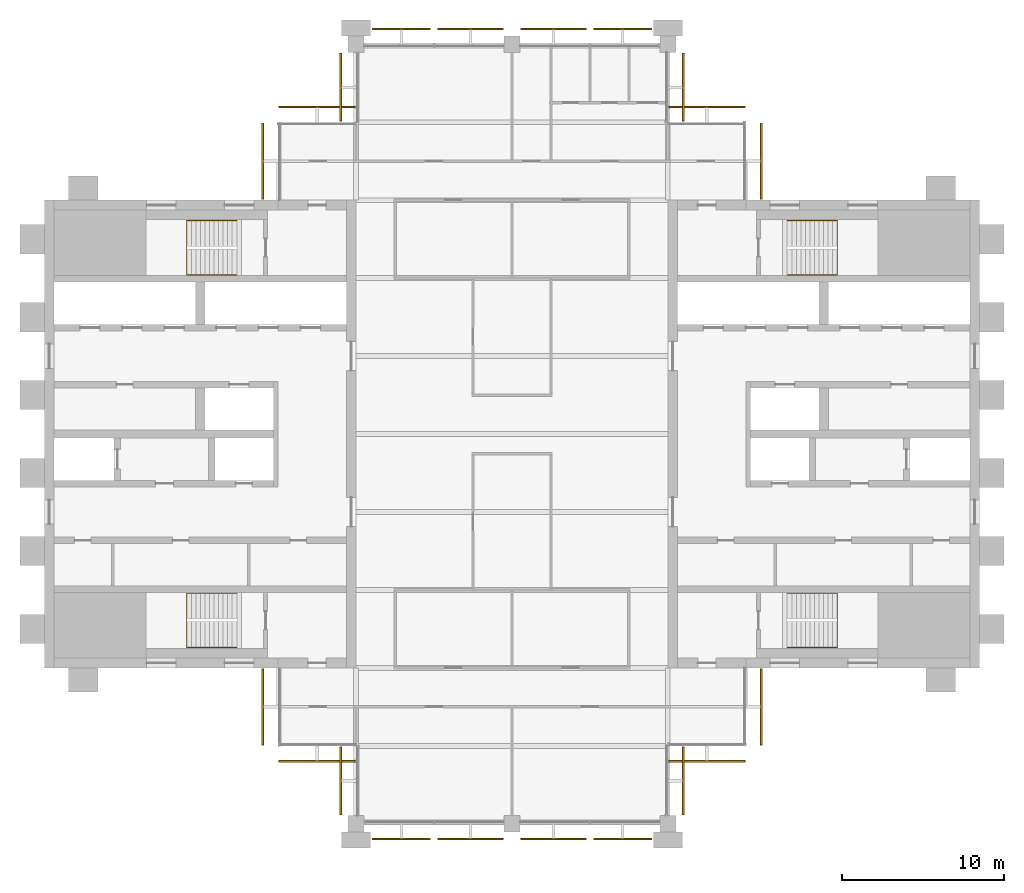
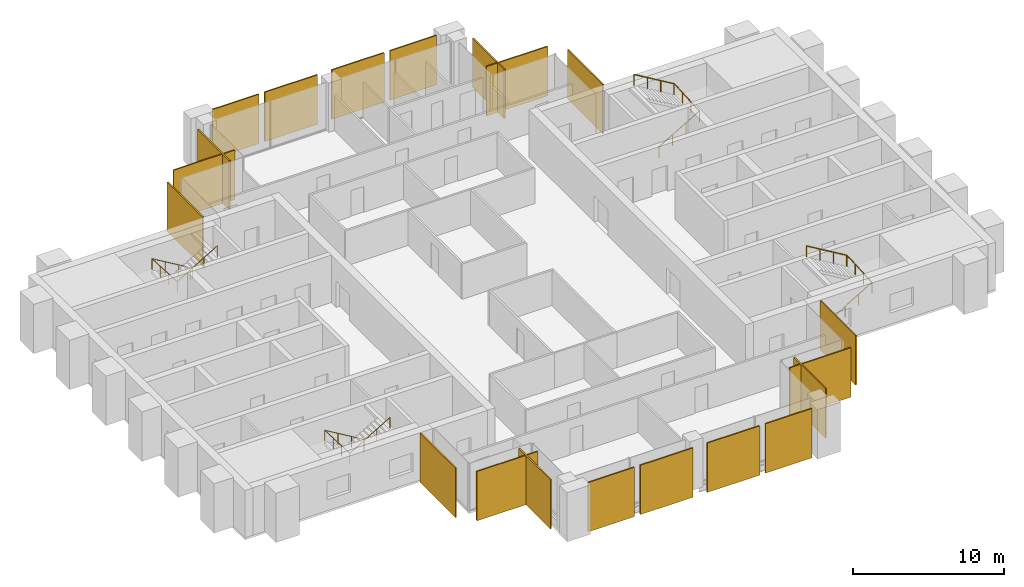
# One storey, part 12 of 12: 20 coverings, 4 railings.
"""IFC4 building model written with IfcOpenShell, lengths in metres."""

import ifcopenshell
import ifcopenshell.guid

model = None  # the IFC model being written
_history = None  # IfcOwnerHistory: only IFC2X3 demands one
_inside = {}  # id of a spatial element -> (the spatial element, [elements in it])
_under = {}  # id of a project, library or spatial element -> (it, [spatial elements below it])
_declared = {}  # id of a project -> (the project, [libraries it declares])
_typed = {}  # id of a type object -> (the type object, [elements of that type])
_made_of = {}  # id of a material, layer set ... -> (it, [elements and type objects made of it])


def new_model(schema):
    """Start an empty IFC model of exactly this schema.

    Asked for "IFC4X3", IfcOpenShell would pick the latest addendum, in which some entities
    have other attributes; the version numbers below select the first issue.
    IFC2X3 requires an IfcOwnerHistory on every rooted entity: one is made here for all.
    """
    global model, _history
    if schema == "IFC4X3":
        model = ifcopenshell.file(schema_version=(4, 3, 0, 0))
    else:
        model = ifcopenshell.file(schema=schema)
    _inside.clear()
    _under.clear()
    _declared.clear()
    _typed.clear()
    _made_of.clear()
    _history = None
    if model.schema == "IFC2X3":
        org = make("IfcOrganization", Name="unknown")
        user = make(
            "IfcPersonAndOrganization",
            ThePerson=make("IfcPerson", FamilyName="unknown"),
            TheOrganization=org,
        )
        app = make(
            "IfcApplication",
            ApplicationDeveloper=org,
            Version="unknown",
            ApplicationFullName="unknown",
            ApplicationIdentifier="unknown",
        )
        _history = make(
            "IfcOwnerHistory",
            OwningUser=user,
            OwningApplication=app,
            ChangeAction="ADDED",
            CreationDate=0,
        )
    return model


def make(cls, **values):
    """One entity of the class cls with the attributes given. An attribute that is None is left unset."""
    return model.create_entity(
        cls, **{name: value for name, value in values.items() if value is not None}
    )


def rooted(cls, **values):
    """An entity with a GlobalId (a new one), such as an element, a storey or a relation."""
    return make(cls, GlobalId=ifcopenshell.guid.new(), OwnerHistory=_history, **values)


def si_unit(unit_type, name, prefix=None):
    """IfcSIUnit, for example si_unit("LENGTHUNIT", "METRE", prefix="MILLI")."""
    return make("IfcSIUnit", UnitType=unit_type, Prefix=prefix, Name=name)


def assignment(units):
    """IfcUnitAssignment: the units of a project."""
    return None if units is None else make("IfcUnitAssignment", Units=units)


def point(xyz):
    """IfcCartesianPoint."""
    return None if xyz is None else make("IfcCartesianPoint", Coordinates=xyz)


def direction(xyz):
    """IfcDirection."""
    return None if xyz is None else make("IfcDirection", DirectionRatios=xyz)


def frame(location, z_axis=None, x_axis=None):
    """IfcAxis2Placement3D, a coordinate frame: its origin and axes. An axis left out is left unset."""
    return make(
        "IfcAxis2Placement3D",
        Location=point(location),
        Axis=direction(z_axis),
        RefDirection=direction(x_axis),
    )


def frame_2d(location, x_axis=None):
    """IfcAxis2Placement2D, a coordinate frame in the plane: its origin and x axis."""
    return make(
        "IfcAxis2Placement2D", Location=point(location), RefDirection=direction(x_axis)
    )


def origin():
    """The frame at (0, 0, 0) with its axes left unset."""
    return frame((0.0, 0.0, 0.0))


def origin_2d():
    """The frame at (0, 0) in the plane with its x axis left unset."""
    return frame_2d((0.0, 0.0))


def place(relative_to, where):
    """IfcLocalPlacement: puts the frame where relative to a parent placement (None: the world)."""
    return make(
        "IfcLocalPlacement", PlacementRelTo=relative_to, RelativePlacement=where
    )


def context(
    kind, dimensions, precision=None, world=None, true_north=None, identifier=None
):
    """IfcGeometricRepresentationContext, for example the 3D "Model" context."""
    return make(
        "IfcGeometricRepresentationContext",
        ContextIdentifier=identifier,
        ContextType=kind,
        CoordinateSpaceDimension=dimensions,
        Precision=precision,
        WorldCoordinateSystem=world,
        TrueNorth=true_north,
    )


def subcontext(parent, identifier, kind, view, scale=None):
    """IfcGeometricRepresentationSubContext, for example "Body" below "Model"."""
    return make(
        "IfcGeometricRepresentationSubContext",
        ContextIdentifier=identifier,
        ContextType=kind,
        ParentContext=parent,
        TargetScale=scale,
        TargetView=view,
    )


def project(units=None, contexts=None):
    """IfcProject with its units and contexts."""
    return rooted(
        "IfcProject",
        Name="project",
        RepresentationContexts=contexts,
        UnitsInContext=assignment(units),
    )


def spatial(cls, under=None, at=None, **own):
    """A site, building, storey or space (cls), placed at a placement, below another one or the project."""
    s = rooted(cls, ObjectPlacement=at, **own)
    if under is not None:
        _under.setdefault(under.id(), (under, []))[1].append(s)
    return s


def polyline(points):
    """IfcPolyline through the points."""
    return make("IfcPolyline", Points=[point(p) for p in points])


def profile(cls, at=None, kind="AREA", **sizes):
    """A parametric profile (cls). Its sizes go by their IFC names, for example OverallWidth=200.0."""
    return make(cls, ProfileType=kind, Position=at, **sizes)


def circle(**sizes):
    """IfcCircleProfileDef."""
    return profile("IfcCircleProfileDef", **sizes)


def outline(outer, holes=None, kind="AREA"):
    """IfcArbitraryClosedProfileDef: a profile drawn as a closed curve; with holes, ...WithVoids."""
    if holes is None:
        return make("IfcArbitraryClosedProfileDef", ProfileType=kind, OuterCurve=outer)
    return make(
        "IfcArbitraryProfileDefWithVoids",
        ProfileType=kind,
        OuterCurve=outer,
        InnerCurves=holes,
    )


def extrude(swept, where, along, depth):
    """IfcExtrudedAreaSolid: the profile swept, set in the frame where, extruded along a direction by depth."""
    return make(
        "IfcExtrudedAreaSolid",
        SweptArea=swept,
        Position=where,
        ExtrudedDirection=direction(along),
        Depth=depth,
    )


def shape(context_of_items, identifier, shape_type, items):
    """IfcShapeRepresentation: the items that make up one representation, for example the "Body"."""
    return make(
        "IfcShapeRepresentation",
        ContextOfItems=context_of_items,
        RepresentationIdentifier=identifier,
        RepresentationType=shape_type,
        Items=items,
    )


def material(Name=None, Category=None):
    """IfcMaterial."""
    return make("IfcMaterial", Name=Name, Category=Category)


def layer(
    of_material, thickness, ventilated=None, Name=None, Category=None, Priority=None
):
    """IfcMaterialLayer: one layer of a wall or slab, of a material (None: an air gap)."""
    return make(
        "IfcMaterialLayer",
        Material=of_material,
        LayerThickness=thickness,
        IsVentilated=ventilated,
        Name=Name,
        Category=Category,
        Priority=Priority,
    )


def layer_set(layers, Name=None):
    """IfcMaterialLayerSet."""
    return make("IfcMaterialLayerSet", MaterialLayers=layers, LayerSetName=Name)


def made_of(thing, what):
    """Note that an element or type object is made of a material, layer set ...; save() writes the relation."""
    if what is not None:
        _made_of.setdefault(what.id(), (what, []))[1].append(thing)
    return thing


def type_object(cls, material=None, **own):
    """A type object (cls), such as IfcWallType, which elements share."""
    return made_of(rooted(cls, **own), material)


def element(
    cls,
    number,
    at=None,
    inside=None,
    cuts=None,
    type_object=None,
    material=None,
    context=None,
    identifier="Body",
    shape_type=None,
    held_by="IfcProductDefinitionShape",
    body=None,
    shapes=None,
    **own,
):
    """One element of the class cls, such as IfcWall. Its Tag is "e" and its number.

    at: its placement. inside: the storey or other place that contains it. cuts: it is an
    opening in that element (IfcRelVoidsElement). A single representation is given by context,
    identifier, shape_type and body (its items); several are given by shapes. held_by: the class
    of the entity that holds the representations. save() writes the other relations.
    """
    e = rooted(cls, Tag="e%d" % number, ObjectPlacement=at, **own)
    if body is not None:
        shapes = [shape(context, identifier, shape_type, body)]
    if shapes is not None:
        e.Representation = make(held_by, Representations=shapes)
    if inside is not None:
        _inside.setdefault(inside.id(), (inside, []))[1].append(e)
    if cuts is not None:
        rooted(
            "IfcRelVoidsElement", RelatingBuildingElement=cuts, RelatedOpeningElement=e
        )
    if type_object is not None:
        _typed.setdefault(type_object.id(), (type_object, []))[1].append(e)
    return made_of(e, material)


def aggregate(whole, parts):
    """IfcRelAggregates: a whole, such as a stair, and the parts it consists of."""
    return rooted("IfcRelAggregates", RelatingObject=whole, RelatedObjects=parts)


def save(model, path):
    """Write the relations noted so far, then the file.

    IfcRelAggregates (storeys below a building ...), IfcRelContainedInSpatialStructure (elements
    in a storey), IfcRelDefinesByType, IfcRelAssociatesMaterial and IfcRelDeclares: one each for
    every whole, place, type object, material and project.
    """
    for whole, parts in _under.values():
        aggregate(whole, parts)
    for where, things in _inside.values():
        rooted(
            "IfcRelContainedInSpatialStructure",
            RelatedElements=things,
            RelatingStructure=where,
        )
    for kind, things in _typed.values():
        rooted("IfcRelDefinesByType", RelatedObjects=things, RelatingType=kind)
    for what, things in _made_of.values():
        rooted("IfcRelAssociatesMaterial", RelatedObjects=things, RelatingMaterial=what)
    for by, libraries in _declared.values():
        rooted("IfcRelDeclares", RelatingContext=by, RelatedDefinitions=libraries)
    model.write(path)


model = new_model("IFC4")

# Units and contexts
model_context = context("Model", 3, precision=1e-05, world=origin(), true_north=direction((0.0, 1.0)))
body_context = subcontext(model_context, "Body", "Model", "MODEL_VIEW")
ifc_project = project(units=[si_unit("LENGTHUNIT", "METRE"), si_unit("AREAUNIT", "SQUARE_METRE"), si_unit("VOLUMEUNIT", "CUBIC_METRE"), si_unit("PLANEANGLEUNIT", "RADIAN"), si_unit("MASSUNIT", "GRAM", prefix="KILO")], contexts=[model_context])

# Site, building, storey
site_placement = place(None, origin())
site = spatial("IfcSite", under=ifc_project, at=site_placement, CompositionType="ELEMENT")
building_placement = place(site_placement, origin())
building = spatial("IfcBuilding", under=site, at=building_placement, Name="Baori Bourse Tower", CompositionType="ELEMENT")
storey_placement = place(building_placement, frame((0.0, 0.0, 298.300048828125)))
storey = spatial("IfcBuildingStorey", under=building, at=storey_placement, Name="L65", CompositionType="ELEMENT", Elevation=298.300048828125)

# Railings
ifc_material_1 = material(Name="Powder-coated steel balustrade", Category="steel")
railing_type = type_object("IfcRailingType", Name="Core stair handrail", PredefinedType="HANDRAIL", material=ifc_material_1)
railing_1_placement = place(storey_placement, frame((11.85009765625, 14.199951171875, 0.16650390625)))
element("IfcRailing", 1, at=railing_1_placement, inside=storey, type_object=railing_type, Name="L65 ST1 stair handrail 1", PredefinedType="HANDRAIL", context=body_context, shape_type="SweptSolid", body=[
    extrude(circle(Radius=0.02392578125, at=origin_2d()), frame((0.0, 0.0, 0.8759765625), z_axis=(-0.85927862911, 0.0, 0.511507807912), x_axis=(0.0, -1.0, 0.0)), (0.0, 0.0, 1.0), 3.58447265625),
    extrude(circle(Radius=0.02392578125, at=origin_2d()), frame((-3.080078125, 0.0, 2.70947265625), z_axis=(0.0, -0.998766999029, 0.049643545903), x_axis=(1.0, 0.0, 0.0)), (0.0, 0.0, 1.0), 3.35400390625),
    extrude(circle(Radius=0.02392578125, at=origin_2d()), frame((-3.080078125, -3.349853515625, 2.8759765625), z_axis=(0.85927862911, 0.0, 0.511507807912), x_axis=(0.0, 1.0, 0.0)), (0.0, 0.0, 1.0), 3.58447265625),
    extrude(circle(Radius=0.02099609375, at=origin_2d()), origin(), (0.0, 0.0, 1.0), 0.851806640625),
    extrude(circle(Radius=0.02099609375, at=origin_2d()), frame((-1.026611328125, 0.0, 0.611083984375)), (0.0, 0.0, 1.0), 0.851806640625),
    extrude(circle(Radius=0.02099609375, at=origin_2d()), frame((-2.053466796875, 0.0, 1.222412109375)), (0.0, 0.0, 1.0), 0.851806640625),
    extrude(circle(Radius=0.02099609375, at=origin_2d()), frame((-3.080078125, 0.0, 1.83349609375)), (0.0, 0.0, 1.0), 0.851806640625),
    extrude(circle(Radius=0.02099609375, at=origin_2d()), frame((-3.080078125, -1.11669921875, 1.888916015625)), (0.0, 0.0, 1.0), 0.851806640625),
    extrude(circle(Radius=0.02099609375, at=origin_2d()), frame((-3.080078125, -2.233154296875, 1.944580078125)), (0.0, 0.0, 1.0), 0.851806640625),
    extrude(circle(Radius=0.02099609375, at=origin_2d()), frame((-3.080078125, -3.349853515625, 2.0)), (0.0, 0.0, 1.0), 0.851806640625),
    extrude(circle(Radius=0.02099609375, at=origin_2d()), frame((-2.053466796875, -3.349853515625, 2.611083984375)), (0.0, 0.0, 1.0), 0.851806640625),
    extrude(circle(Radius=0.02099609375, at=origin_2d()), frame((-1.026611328125, -3.349853515625, 3.222412109375)), (0.0, 0.0, 1.0), 0.851806640625),
    extrude(circle(Radius=0.02099609375, at=origin_2d()), frame((0.0, -3.349853515625, 3.83349609375)), (0.0, 0.0, 1.0), 0.851806640625),
])
railing_2_placement = place(storey_placement, frame((11.85009765625, 37.14990234375, 0.16650390625)))
element("IfcRailing", 2, at=railing_2_placement, inside=storey, type_object=railing_type, Name="L65 ST2 stair handrail 1", PredefinedType="HANDRAIL", context=body_context, shape_type="SweptSolid", body=[
    extrude(circle(Radius=0.02392578125, at=origin_2d()), frame((0.0, 0.0, 0.8759765625), z_axis=(-0.85927862911, 0.0, 0.511507807912), x_axis=(0.0, -1.0, 0.0)), (0.0, 0.0, 1.0), 3.58447265625),
    extrude(circle(Radius=0.02392578125, at=origin_2d()), frame((-3.080078125, 0.0, 2.70947265625), z_axis=(0.0, -0.998766999029, 0.049643545903), x_axis=(1.0, 0.0, 0.0)), (0.0, 0.0, 1.0), 3.35400390625),
    extrude(circle(Radius=0.02392578125, at=origin_2d()), frame((-3.080078125, -3.349853515625, 2.8759765625), z_axis=(0.85927862911, 0.0, 0.511507807912), x_axis=(0.0, 1.0, 0.0)), (0.0, 0.0, 1.0), 3.58447265625),
    extrude(circle(Radius=0.02099609375, at=origin_2d()), origin(), (0.0, 0.0, 1.0), 0.851806640625),
    extrude(circle(Radius=0.02099609375, at=origin_2d()), frame((-1.026611328125, 0.0, 0.611083984375)), (0.0, 0.0, 1.0), 0.851806640625),
    extrude(circle(Radius=0.02099609375, at=origin_2d()), frame((-2.053466796875, 0.0, 1.222412109375)), (0.0, 0.0, 1.0), 0.851806640625),
    extrude(circle(Radius=0.02099609375, at=origin_2d()), frame((-3.080078125, 0.0, 1.83349609375)), (0.0, 0.0, 1.0), 0.851806640625),
    extrude(circle(Radius=0.02099609375, at=origin_2d()), frame((-3.080078125, -1.11669921875, 1.888916015625)), (0.0, 0.0, 1.0), 0.851806640625),
    extrude(circle(Radius=0.02099609375, at=origin_2d()), frame((-3.080078125, -2.233154296875, 1.944580078125)), (0.0, 0.0, 1.0), 0.851806640625),
    extrude(circle(Radius=0.02099609375, at=origin_2d()), frame((-3.080078125, -3.349853515625, 2.0)), (0.0, 0.0, 1.0), 0.851806640625),
    extrude(circle(Radius=0.02099609375, at=origin_2d()), frame((-2.053466796875, -3.349853515625, 2.611083984375)), (0.0, 0.0, 1.0), 0.851806640625),
    extrude(circle(Radius=0.02099609375, at=origin_2d()), frame((-1.026611328125, -3.349853515625, 3.222412109375)), (0.0, 0.0, 1.0), 0.851806640625),
    extrude(circle(Radius=0.02099609375, at=origin_2d()), frame((0.0, -3.349853515625, 3.83349609375)), (0.0, 0.0, 1.0), 0.851806640625),
])
railing_3_placement = place(storey_placement, frame((45.75, 10.85009765625, 0.16650390625)))
element("IfcRailing", 3, at=railing_3_placement, inside=storey, type_object=railing_type, Name="L65 ST3 stair handrail 1", PredefinedType="HANDRAIL", context=body_context, shape_type="SweptSolid", body=[
    extrude(circle(Radius=0.02392578125, at=origin_2d()), frame((0.0, 0.0, 0.8759765625), z_axis=(0.85927862911, 0.0, 0.511507807912), x_axis=(0.0, 1.0, 0.0)), (0.0, 0.0, 1.0), 3.58447265625),
    extrude(circle(Radius=0.02392578125, at=origin_2d()), frame((3.080078125, 0.0, 2.70947265625), z_axis=(0.0, 0.998766999029, 0.049643545903), x_axis=(-1.0, 0.0, 0.0)), (0.0, 0.0, 1.0), 3.35400390625),
    extrude(circle(Radius=0.02392578125, at=origin_2d()), frame((3.080078125, 3.349853515625, 2.8759765625), z_axis=(-0.85927862911, 0.0, 0.511507807912), x_axis=(0.0, -1.0, 0.0)), (0.0, 0.0, 1.0), 3.58447265625),
    extrude(circle(Radius=0.02099609375, at=origin_2d()), origin(), (0.0, 0.0, 1.0), 0.851806640625),
    extrude(circle(Radius=0.02099609375, at=origin_2d()), frame((1.026611328125, 0.0, 0.611083984375)), (0.0, 0.0, 1.0), 0.851806640625),
    extrude(circle(Radius=0.02099609375, at=origin_2d()), frame((2.053466796875, 0.0, 1.222412109375)), (0.0, 0.0, 1.0), 0.851806640625),
    extrude(circle(Radius=0.02099609375, at=origin_2d()), frame((3.080078125, 0.0, 1.83349609375)), (0.0, 0.0, 1.0), 0.851806640625),
    extrude(circle(Radius=0.02099609375, at=origin_2d()), frame((3.080078125, 1.11669921875, 1.888916015625)), (0.0, 0.0, 1.0), 0.851806640625),
    extrude(circle(Radius=0.02099609375, at=origin_2d()), frame((3.080078125, 2.233154296875, 1.944580078125)), (0.0, 0.0, 1.0), 0.851806640625),
    extrude(circle(Radius=0.02099609375, at=origin_2d()), frame((3.080078125, 3.349853515625, 2.0)), (0.0, 0.0, 1.0), 0.851806640625),
    extrude(circle(Radius=0.02099609375, at=origin_2d()), frame((2.053466796875, 3.349853515625, 2.611083984375)), (0.0, 0.0, 1.0), 0.851806640625),
    extrude(circle(Radius=0.02099609375, at=origin_2d()), frame((1.026611328125, 3.349853515625, 3.222412109375)), (0.0, 0.0, 1.0), 0.851806640625),
    extrude(circle(Radius=0.02099609375, at=origin_2d()), frame((0.0, 3.349853515625, 3.83349609375)), (0.0, 0.0, 1.0), 0.851806640625),
])
railing_4_placement = place(storey_placement, frame((45.75, 33.800048828125, 0.16650390625)))
element("IfcRailing", 4, at=railing_4_placement, inside=storey, type_object=railing_type, Name="L65 ST4 stair handrail 1", PredefinedType="HANDRAIL", context=body_context, shape_type="SweptSolid", body=[
    extrude(circle(Radius=0.02392578125, at=origin_2d()), frame((0.0, 0.0, 0.8759765625), z_axis=(0.85927862911, 0.0, 0.511507807912), x_axis=(0.0, 1.0, 0.0)), (0.0, 0.0, 1.0), 3.58447265625),
    extrude(circle(Radius=0.02392578125, at=origin_2d()), frame((3.080078125, 0.0, 2.70947265625), z_axis=(0.0, 0.998766999029, 0.049643545903), x_axis=(-1.0, 0.0, 0.0)), (0.0, 0.0, 1.0), 3.35400390625),
    extrude(circle(Radius=0.02392578125, at=origin_2d()), frame((3.080078125, 3.349853515625, 2.8759765625), z_axis=(-0.85927862911, 0.0, 0.511507807912), x_axis=(0.0, -1.0, 0.0)), (0.0, 0.0, 1.0), 3.58447265625),
    extrude(circle(Radius=0.02099609375, at=origin_2d()), origin(), (0.0, 0.0, 1.0), 0.851806640625),
    extrude(circle(Radius=0.02099609375, at=origin_2d()), frame((1.026611328125, 0.0, 0.611083984375)), (0.0, 0.0, 1.0), 0.851806640625),
    extrude(circle(Radius=0.02099609375, at=origin_2d()), frame((2.053466796875, 0.0, 1.222412109375)), (0.0, 0.0, 1.0), 0.851806640625),
    extrude(circle(Radius=0.02099609375, at=origin_2d()), frame((3.080078125, 0.0, 1.83349609375)), (0.0, 0.0, 1.0), 0.851806640625),
    extrude(circle(Radius=0.02099609375, at=origin_2d()), frame((3.080078125, 1.11669921875, 1.888916015625)), (0.0, 0.0, 1.0), 0.851806640625),
    extrude(circle(Radius=0.02099609375, at=origin_2d()), frame((3.080078125, 2.233154296875, 1.944580078125)), (0.0, 0.0, 1.0), 0.851806640625),
    extrude(circle(Radius=0.02099609375, at=origin_2d()), frame((3.080078125, 3.349853515625, 2.0)), (0.0, 0.0, 1.0), 0.851806640625),
    extrude(circle(Radius=0.02099609375, at=origin_2d()), frame((2.053466796875, 3.349853515625, 2.611083984375)), (0.0, 0.0, 1.0), 0.851806640625),
    extrude(circle(Radius=0.02099609375, at=origin_2d()), frame((1.026611328125, 3.349853515625, 3.222412109375)), (0.0, 0.0, 1.0), 0.851806640625),
    extrude(circle(Radius=0.02099609375, at=origin_2d()), frame((0.0, 3.349853515625, 3.83349609375)), (0.0, 0.0, 1.0), 0.851806640625),
])

# Coverings
ifc_material_2 = material(Name="Pale anodised aluminium", Category="aluminium")
ifc_layer = layer(ifc_material_2, 0.10009765625)
ifc_layer_set = layer_set([ifc_layer], Name="OS3 Outer skin screen panel")
covering_type = type_object("IfcCoveringType", Name="OS3 Outer skin screen panel", PredefinedType="CLADDING", material=ifc_layer_set)
covering_1_placement = place(storey_placement, frame((0.0, 0.0, -0.16015625)))
element("IfcCovering", 5, at=covering_1_placement, inside=storey, type_object=covering_type, Name="Outer skin screen L65 1", PredefinedType="CLADDING", context=body_context, shape_type="SweptSolid", body=[
    extrude(outline(polyline([(44.10009765625, 43.14990234375), (44.10009765625, 38.449951171875), (44.199951171875, 38.449951171875), (44.199951171875, 43.14990234375), (44.10009765625, 43.14990234375)])), origin(), (0.0, 0.0, 1.0), 4.0),
])
covering_2_placement = place(storey_placement, frame((0.0, 0.0, -0.16015625)))
element("IfcCovering", 6, at=covering_2_placement, inside=storey, type_object=covering_type, Name="Outer skin screen L65 2", PredefinedType="CLADDING", context=body_context, shape_type="SweptSolid", body=[
    extrude(outline(polyline([(38.449951171875, 44.10009765625), (43.14990234375, 44.10009765625), (43.14990234375, 44.199951171875), (38.449951171875, 44.199951171875), (38.449951171875, 44.10009765625)])), origin(), (0.0, 0.0, 1.0), 4.0),
])
covering_3_placement = place(storey_placement, frame((0.0, 0.0, -0.16015625)))
element("IfcCovering", 7, at=covering_3_placement, inside=storey, type_object=covering_type, Name="Outer skin screen L65 3", PredefinedType="CLADDING", context=body_context, shape_type="SweptSolid", body=[
    extrude(outline(polyline([(39.300048828125, 47.449951171875), (39.300048828125, 43.25), (39.39990234375, 43.25), (39.39990234375, 47.449951171875), (39.300048828125, 47.449951171875)])), origin(), (0.0, 0.0, 1.0), 4.0),
])
covering_4_placement = place(storey_placement, frame((0.0, 0.0, -0.16015625)))
element("IfcCovering", 8, at=covering_4_placement, inside=storey, type_object=covering_type, Name="Outer skin screen L65 4", PredefinedType="CLADDING", context=body_context, shape_type="SweptSolid", body=[
    extrude(outline(polyline([(33.824951171875, 48.89990234375), (37.39990234375, 48.89990234375), (37.39990234375, 49.0), (33.824951171875, 49.0), (33.824951171875, 48.89990234375)])), origin(), (0.0, 0.0, 1.0), 4.0),
])
covering_5_placement = place(storey_placement, frame((0.0, 0.0, -0.16015625)))
element("IfcCovering", 9, at=covering_5_placement, inside=storey, type_object=covering_type, Name="Outer skin screen L65 5", PredefinedType="CLADDING", context=body_context, shape_type="SweptSolid", body=[
    extrude(outline(polyline([(29.35009765625, 48.89990234375), (33.375, 48.89990234375), (33.375, 49.0), (29.35009765625, 49.0), (29.35009765625, 48.89990234375)])), origin(), (0.0, 0.0, 1.0), 4.0),
])
covering_6_placement = place(storey_placement, frame((0.0, 0.0, -0.16015625)))
element("IfcCovering", 10, at=covering_6_placement, inside=storey, type_object=covering_type, Name="Outer skin screen L65 6", PredefinedType="CLADDING", context=body_context, shape_type="SweptSolid", body=[
    extrude(outline(polyline([(24.22509765625, 48.89990234375), (28.25, 48.89990234375), (28.25, 49.0), (24.22509765625, 49.0), (24.22509765625, 48.89990234375)])), origin(), (0.0, 0.0, 1.0), 4.0),
])
covering_7_placement = place(storey_placement, frame((0.0, 0.0, -0.16015625)))
element("IfcCovering", 11, at=covering_7_placement, inside=storey, type_object=covering_type, Name="Outer skin screen L65 7", PredefinedType="CLADDING", context=body_context, shape_type="SweptSolid", body=[
    extrude(outline(polyline([(20.199951171875, 48.89990234375), (23.77490234375, 48.89990234375), (23.77490234375, 49.0), (20.199951171875, 49.0), (20.199951171875, 48.89990234375)])), origin(), (0.0, 0.0, 1.0), 4.0),
])
covering_8_placement = place(storey_placement, frame((0.0, 0.0, -0.16015625)))
element("IfcCovering", 12, at=covering_8_placement, inside=storey, type_object=covering_type, Name="Outer skin screen L65 8", PredefinedType="CLADDING", context=body_context, shape_type="SweptSolid", body=[
    extrude(outline(polyline([(18.300048828125, 43.25), (18.300048828125, 47.449951171875), (18.199951171875, 47.449951171875), (18.199951171875, 43.25), (18.300048828125, 43.25)])), origin(), (0.0, 0.0, 1.0), 4.0),
])
covering_9_placement = place(storey_placement, frame((0.0, 0.0, -0.16015625)))
element("IfcCovering", 13, at=covering_9_placement, inside=storey, type_object=covering_type, Name="Outer skin screen L65 9", PredefinedType="CLADDING", context=body_context, shape_type="SweptSolid", body=[
    extrude(outline(polyline([(14.449951171875, 44.10009765625), (19.14990234375, 44.10009765625), (19.14990234375, 44.199951171875), (14.449951171875, 44.199951171875), (14.449951171875, 44.10009765625)])), origin(), (0.0, 0.0, 1.0), 4.0),
])
covering_10_placement = place(storey_placement, frame((0.0, 0.0, -0.16015625)))
element("IfcCovering", 14, at=covering_10_placement, inside=storey, type_object=covering_type, Name="Outer skin screen L65 10", PredefinedType="CLADDING", context=body_context, shape_type="SweptSolid", body=[
    extrude(outline(polyline([(13.5, 38.449951171875), (13.5, 43.14990234375), (13.39990234375, 43.14990234375), (13.39990234375, 38.449951171875), (13.5, 38.449951171875)])), origin(), (0.0, 0.0, 1.0), 4.0),
])
covering_11_placement = place(storey_placement, frame((0.0, 0.0, -0.16015625)))
element("IfcCovering", 15, at=covering_11_placement, inside=storey, type_object=covering_type, Name="Outer skin screen L65 11", PredefinedType="CLADDING", context=body_context, shape_type="SweptSolid", body=[
    extrude(outline(polyline([(13.5, 4.85009765625), (13.5, 9.550048828125), (13.39990234375, 9.550048828125), (13.39990234375, 4.85009765625), (13.5, 4.85009765625)])), origin(), (0.0, 0.0, 1.0), 4.0),
])
covering_12_placement = place(storey_placement, frame((0.0, 0.0, -0.16015625)))
element("IfcCovering", 16, at=covering_12_placement, inside=storey, type_object=covering_type, Name="Outer skin screen L65 12", PredefinedType="CLADDING", context=body_context, shape_type="SweptSolid", body=[
    extrude(outline(polyline([(19.14990234375, 3.89990234375), (14.449951171875, 3.89990234375), (14.449951171875, 3.800048828125), (19.14990234375, 3.800048828125), (19.14990234375, 3.89990234375)])), origin(), (0.0, 0.0, 1.0), 4.0),
])
covering_13_placement = place(storey_placement, frame((0.0, 0.0, -0.16015625)))
element("IfcCovering", 17, at=covering_13_placement, inside=storey, type_object=covering_type, Name="Outer skin screen L65 13", PredefinedType="CLADDING", context=body_context, shape_type="SweptSolid", body=[
    extrude(outline(polyline([(18.300048828125, 0.550048828125), (18.300048828125, 4.75), (18.199951171875, 4.75), (18.199951171875, 0.550048828125), (18.300048828125, 0.550048828125)])), origin(), (0.0, 0.0, 1.0), 4.0),
])
covering_14_placement = place(storey_placement, frame((0.0, 0.0, -0.16015625)))
element("IfcCovering", 18, at=covering_14_placement, inside=storey, type_object=covering_type, Name="Outer skin screen L65 14", PredefinedType="CLADDING", context=body_context, shape_type="SweptSolid", body=[
    extrude(outline(polyline([(23.77490234375, -0.89990234375), (20.199951171875, -0.89990234375), (20.199951171875, -1.0), (23.77490234375, -1.0), (23.77490234375, -0.89990234375)])), origin(), (0.0, 0.0, 1.0), 4.0),
])
covering_15_placement = place(storey_placement, frame((0.0, 0.0, -0.16015625)))
element("IfcCovering", 19, at=covering_15_placement, inside=storey, type_object=covering_type, Name="Outer skin screen L65 15", PredefinedType="CLADDING", context=body_context, shape_type="SweptSolid", body=[
    extrude(outline(polyline([(28.25, -0.89990234375), (24.22509765625, -0.89990234375), (24.22509765625, -1.0), (28.25, -1.0), (28.25, -0.89990234375)])), origin(), (0.0, 0.0, 1.0), 4.0),
])
covering_16_placement = place(storey_placement, frame((0.0, 0.0, -0.16015625)))
element("IfcCovering", 20, at=covering_16_placement, inside=storey, type_object=covering_type, Name="Outer skin screen L65 16", PredefinedType="CLADDING", context=body_context, shape_type="SweptSolid", body=[
    extrude(outline(polyline([(33.375, -0.89990234375), (29.35009765625, -0.89990234375), (29.35009765625, -1.0), (33.375, -1.0), (33.375, -0.89990234375)])), origin(), (0.0, 0.0, 1.0), 4.0),
])
covering_17_placement = place(storey_placement, frame((0.0, 0.0, -0.16015625)))
element("IfcCovering", 21, at=covering_17_placement, inside=storey, type_object=covering_type, Name="Outer skin screen L65 17", PredefinedType="CLADDING", context=body_context, shape_type="SweptSolid", body=[
    extrude(outline(polyline([(37.39990234375, -0.89990234375), (33.824951171875, -0.89990234375), (33.824951171875, -1.0), (37.39990234375, -1.0), (37.39990234375, -0.89990234375)])), origin(), (0.0, 0.0, 1.0), 4.0),
])
covering_18_placement = place(storey_placement, frame((0.0, 0.0, -0.16015625)))
element("IfcCovering", 22, at=covering_18_placement, inside=storey, type_object=covering_type, Name="Outer skin screen L65 18", PredefinedType="CLADDING", context=body_context, shape_type="SweptSolid", body=[
    extrude(outline(polyline([(39.300048828125, 4.75), (39.300048828125, 0.550048828125), (39.39990234375, 0.550048828125), (39.39990234375, 4.75), (39.300048828125, 4.75)])), origin(), (0.0, 0.0, 1.0), 4.0),
])
covering_19_placement = place(storey_placement, frame((0.0, 0.0, -0.16015625)))
element("IfcCovering", 23, at=covering_19_placement, inside=storey, type_object=covering_type, Name="Outer skin screen L65 19", PredefinedType="CLADDING", context=body_context, shape_type="SweptSolid", body=[
    extrude(outline(polyline([(43.14990234375, 3.89990234375), (38.449951171875, 3.89990234375), (38.449951171875, 3.800048828125), (43.14990234375, 3.800048828125), (43.14990234375, 3.89990234375)])), origin(), (0.0, 0.0, 1.0), 4.0),
])
covering_20_placement = place(storey_placement, frame((0.0, 0.0, -0.16015625)))
element("IfcCovering", 24, at=covering_20_placement, inside=storey, type_object=covering_type, Name="Outer skin screen L65 20", PredefinedType="CLADDING", context=body_context, shape_type="SweptSolid", body=[
    extrude(outline(polyline([(44.10009765625, 9.550048828125), (44.10009765625, 4.85009765625), (44.199951171875, 4.85009765625), (44.199951171875, 9.550048828125), (44.10009765625, 9.550048828125)])), origin(), (0.0, 0.0, 1.0), 4.0),
])

save(model, "model.ifc")
